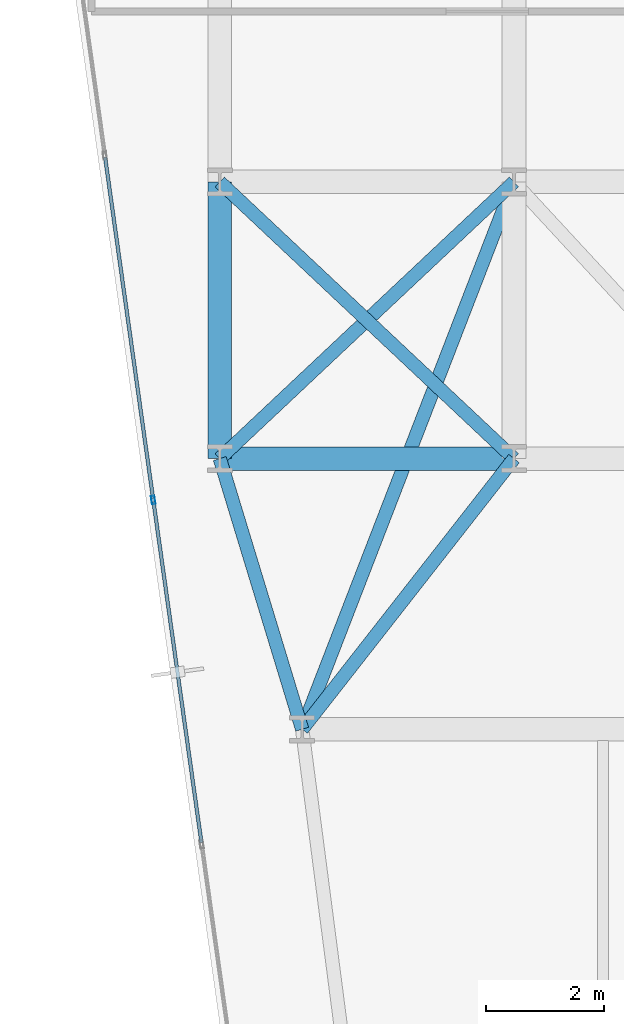
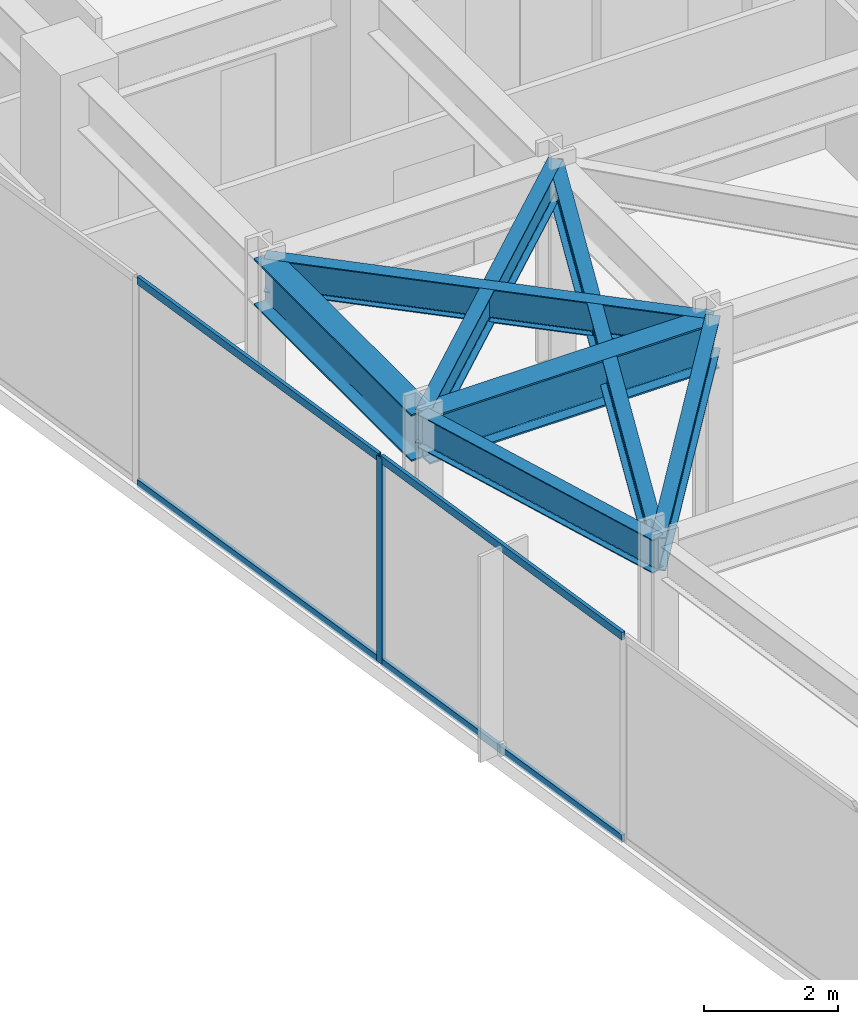
# One storey, part 9 of 26: 7 beams, 5 members, 1 element without a shape of its own.
"""IFC4 building model written with IfcOpenShell, lengths in metres."""

from ifc_helpers import new_model, si_unit, direction, frame, origin, origin_2d, place, context, subcontext, project, spatial, hollow_rectangle, i_section, extrude, material, layer, layer_set, material_profile, profile_set, type_object, element, aggregate, save


model = new_model("IFC4")

# Units and contexts
model_context = context("Model", 3, precision=1e-05, world=origin(), true_north=direction((0.0, 1.0)))
body_context = subcontext(model_context, "Body", "Model", "MODEL_VIEW")
ifc_project = project(units=[si_unit("LENGTHUNIT", "METRE"), si_unit("AREAUNIT", "SQUARE_METRE"), si_unit("VOLUMEUNIT", "CUBIC_METRE"), si_unit("PLANEANGLEUNIT", "RADIAN"), si_unit("MASSUNIT", "GRAM", prefix="KILO")], contexts=[model_context])

# Site, building, storey
site_placement = place(None, origin())
site = spatial("IfcSite", under=ifc_project, at=site_placement, CompositionType="ELEMENT")
building_placement = place(site_placement, origin())
building = spatial("IfcBuilding", under=site, at=building_placement, Name="Kravanh Interchange Tower", CompositionType="ELEMENT")
storey_placement = place(building_placement, frame((0.0, 0.0, 108.0)))
storey = spatial("IfcBuildingStorey", under=building, at=storey_placement, Name="L25", CompositionType="ELEMENT", Elevation=108.0)

# Curtain wall, members
ifc_material_1 = material(Name="Anodised Bronze Aluminium", Category="aluminium")
ifc_layer = layer(ifc_material_1, 0.179931640625)
ifc_layer_set = layer_set([ifc_layer], Name="Unitised Curtain Wall System CW-Z2 Mid Office")
curtain_wall_type = type_object("IfcCurtainWallType", Name="Unitised Curtain Wall System CW-Z2 Mid Office", PredefinedType="NOTDEFINED", material=ifc_layer_set)
curtain_wall_placement = place(storey_placement, origin())
curtain_wall = element("IfcCurtainWall", 1, at=curtain_wall_placement, inside=storey, type_object=curtain_wall_type, Name="L25 Unitised Curtain Wall CW-L25-01", PredefinedType="NOTDEFINED")
ifc_material_2 = material(Name="Anodised Bronze Aluminium", Category="aluminium")
ifc_material_profile_1 = material_profile(ifc_material_2, hollow_rectangle(XDim=0.06005859375, YDim=0.139892578125, WallThickness=0.00390625, at=origin_2d()), Name="ALU60X140X4")
ifc_profile_set_1 = profile_set([ifc_material_profile_1], Name="Anodised Bronze Aluminium")
member_type_1 = type_object("IfcMemberType", Name="Curtain Wall Mullion ALU60X140X4 Bronze", PredefinedType="MULLION", material=ifc_profile_set_1)
member_1_placement = place(storey_placement, frame((12.469970703125, 26.095458984375, 0.0), z_axis=(0.0, 0.0, 1.0), x_axis=(-0.990268103846, -0.13917285118, 0.0)))
member_1 = element("IfcMember", 2, at=member_1_placement, type_object=member_type_1, Name="CW-Z2 mullion 4", PredefinedType="MULLION", context=body_context, shape_type="SweptSolid", body=[
    extrude(hollow_rectangle(XDim=0.06005859375, YDim=0.139892578125, WallThickness=0.00390625, at=origin_2d()), origin(), (0.0, 0.0, 1.0), 3.75),
])
ifc_material_3 = material(Name="Anodised Bronze Aluminium", Category="aluminium")
ifc_material_profile_2 = material_profile(ifc_material_3, hollow_rectangle(XDim=0.06005859375, YDim=0.139892578125, WallThickness=0.00390625, at=origin_2d()), Name="ALU60X140X4")
ifc_profile_set_2 = profile_set([ifc_material_profile_2], Name="Anodised Bronze Aluminium")
member_type_2 = type_object("IfcMemberType", Name="Curtain Wall Transom ALU60X140X4 Bronze", PredefinedType="USERDEFINED", material=ifc_profile_set_2)
member_2_placement = place(storey_placement, frame((13.288330078125, 20.27294921875, 0.030029296875), z_axis=(-0.13918896503, 0.990265839062, 0.0), x_axis=(-0.990265839062, -0.13918896503, 0.0)))
member_2 = element("IfcMember", 3, at=member_2_placement, type_object=member_type_2, Name="CW-Z2 transom 3.1", ObjectType="TRANSOM", PredefinedType="USERDEFINED", context=body_context, shape_type="SweptSolid", body=[
    extrude(hollow_rectangle(XDim=0.06005859375, YDim=0.139892578125, WallThickness=0.00390625, at=origin_2d()), origin(), (0.0, 0.0, 1.0), 5.849609375),
])
member_3_placement = place(storey_placement, frame((13.288330078125, 20.27294921875, 3.719970703125), z_axis=(-0.13918896503, 0.990265839062, 0.0), x_axis=(-0.990265839062, -0.13918896503, 0.0)))
member_3 = element("IfcMember", 4, at=member_3_placement, type_object=member_type_2, Name="CW-Z2 transom 3.2", ObjectType="TRANSOM", PredefinedType="USERDEFINED", context=body_context, shape_type="SweptSolid", body=[
    extrude(hollow_rectangle(XDim=0.06005859375, YDim=0.139892578125, WallThickness=0.00390625, at=origin_2d()), origin(), (0.0, 0.0, 1.0), 5.849609375),
])
member_4_placement = place(storey_placement, frame((12.4658203125, 26.125244140625, 0.030029296875), z_axis=(-0.13918896503, 0.990265839062, 0.0), x_axis=(-0.990265839062, -0.13918896503, 0.0)))
member_4 = element("IfcMember", 5, at=member_4_placement, type_object=member_type_2, Name="CW-Z2 transom 4.1", ObjectType="TRANSOM", PredefinedType="USERDEFINED", context=body_context, shape_type="SweptSolid", body=[
    extrude(hollow_rectangle(XDim=0.06005859375, YDim=0.139892578125, WallThickness=0.00390625, at=origin_2d()), origin(), (0.0, 0.0, 1.0), 5.849609375),
])
member_5_placement = place(storey_placement, frame((12.4658203125, 26.125244140625, 3.719970703125), z_axis=(-0.13918896503, 0.990265839062, 0.0), x_axis=(-0.990265839062, -0.13918896503, 0.0)))
member_5 = element("IfcMember", 6, at=member_5_placement, type_object=member_type_2, Name="CW-Z2 transom 4.2", ObjectType="TRANSOM", PredefinedType="USERDEFINED", context=body_context, shape_type="SweptSolid", body=[
    extrude(hollow_rectangle(XDim=0.06005859375, YDim=0.139892578125, WallThickness=0.00390625, at=origin_2d()), origin(), (0.0, 0.0, 1.0), 5.849609375),
])
aggregate(curtain_wall, [member_1, member_2, member_3, member_4, member_5])

# Beams
ifc_material_4 = material(Name="Structural Steel S355", Category="steel")
ifc_material_profile_3 = material_profile(ifc_material_4, i_section(OverallWidth=0.39990234375, OverallDepth=0.85595703125, WebThickness=0.018310546875, FlangeThickness=0.029296875, FilletRadius=0.02490234375, at=origin_2d()), Name="W33X201")
ifc_profile_set_3 = profile_set([ifc_material_profile_3], Name="Structural Steel S355")
beam_type_1 = type_object("IfcBeamType", Name="Floor Beam W33X201 Structural Steel S355", PredefinedType="BEAM", material=ifc_profile_set_3)
beam_1_placement = place(storey_placement, frame((13.60009765625, 26.800048828125, 3.322021484375), z_axis=(0.0, 1.0, 0.0), x_axis=(-1.0, 0.0, 0.0)))
element("IfcBeam", 7, at=beam_1_placement, inside=storey, type_object=beam_type_1, Name="L25 Primary Floor Girder 37", PredefinedType="BEAM", context=body_context, shape_type="SweptSolid", body=[
    extrude(i_section(OverallWidth=0.39990234375, OverallDepth=0.85595703125, WebThickness=0.018310546875, FlangeThickness=0.029296875, FilletRadius=0.02490234375, at=origin_2d()), origin(), (0.0, 0.0, 1.0), 4.699951171875),
])
beam_2_placement = place(storey_placement, frame((13.60009765625, 26.800048828125, 3.322021484375), z_axis=(1.0, 0.0, 0.0), x_axis=(0.0, 1.0, 0.0)))
element("IfcBeam", 8, at=beam_2_placement, inside=storey, type_object=beam_type_1, Name="L25 Primary Floor Girder 39", PredefinedType="BEAM", context=body_context, shape_type="SweptSolid", body=[
    extrude(i_section(OverallWidth=0.39990234375, OverallDepth=0.85595703125, WebThickness=0.018310546875, FlangeThickness=0.029296875, FilletRadius=0.02490234375, at=origin_2d()), origin(), (0.0, 0.0, 1.0), 5.0),
])
ifc_material_5 = material(Name="Structural Steel S355", Category="steel")
ifc_material_profile_4 = material_profile(ifc_material_5, i_section(OverallWidth=0.22802734375, OverallDepth=0.60791015625, WebThickness=0.01123046875, FlangeThickness=0.017333984375, FilletRadius=0.02197265625, at=origin_2d()), Name="W24X76")
ifc_profile_set_4 = profile_set([ifc_material_profile_4], Name="Structural Steel S355")
beam_type_2 = type_object("IfcBeamType", Name="Floor Spandrel W24X76 Structural Steel S355", PredefinedType="SPANDREL", material=ifc_profile_set_4)
beam_3_placement = place(storey_placement, frame((13.60009765625, 26.800048828125, 3.446044921875), z_axis=(0.291137370727, -0.956681259023, 0.0), x_axis=(0.956681259023, 0.291137370727, 0.0)))
element("IfcBeam", 9, at=beam_3_placement, inside=storey, type_object=beam_type_2, Name="L25 Perimeter Spandrel 38", PredefinedType="SPANDREL", context=body_context, shape_type="SweptSolid", body=[
    extrude(i_section(OverallWidth=0.22802734375, OverallDepth=0.60791015625, WebThickness=0.01123046875, FlangeThickness=0.017333984375, FilletRadius=0.02197265625, at=origin_2d()), origin(), (0.0, 0.0, 1.0), 4.808349609375),
])
beam_4_placement = place(storey_placement, frame((13.60009765625, 26.800048828125, 3.446044921875), z_axis=(0.728631219862, 0.684906231131, 0.0), x_axis=(-0.684906231131, 0.728631219862, 0.0)))
element("IfcBeam", 10, at=beam_4_placement, inside=storey, type_object=beam_type_2, Name="L25 Perimeter Spandrel 40", PredefinedType="SPANDREL", context=body_context, shape_type="SweptSolid", body=[
    extrude(i_section(OverallWidth=0.22802734375, OverallDepth=0.60791015625, WebThickness=0.01123046875, FlangeThickness=0.017333984375, FilletRadius=0.02197265625, at=origin_2d()), origin(), (0.0, 0.0, 1.0), 6.862060546875),
])
beam_5_placement = place(storey_placement, frame((18.60009765625, 26.800048828125, 3.446044921875), z_axis=(-0.616310515553, -0.787503237085, 0.0), x_axis=(0.787503237085, -0.616310515553, 0.0)))
element("IfcBeam", 11, at=beam_5_placement, inside=storey, type_object=beam_type_2, Name="L25 Perimeter Spandrel 42", PredefinedType="SPANDREL", context=body_context, shape_type="SweptSolid", body=[
    extrude(i_section(OverallWidth=0.22802734375, OverallDepth=0.60791015625, WebThickness=0.01123046875, FlangeThickness=0.017333984375, FilletRadius=0.02197265625, at=origin_2d()), origin(), (0.0, 0.0, 1.0), 5.84130859375),
])
beam_6_placement = place(storey_placement, frame((18.60009765625, 26.800048828125, 3.446044921875), z_axis=(-0.728631219862, 0.684906231131, 0.0), x_axis=(-0.684906231131, -0.728631219862, 0.0)))
element("IfcBeam", 12, at=beam_6_placement, inside=storey, type_object=beam_type_2, Name="L25 Perimeter Spandrel 43", PredefinedType="SPANDREL", context=body_context, shape_type="SweptSolid", body=[
    extrude(i_section(OverallWidth=0.22802734375, OverallDepth=0.60791015625, WebThickness=0.01123046875, FlangeThickness=0.017333984375, FilletRadius=0.02197265625, at=origin_2d()), origin(), (0.0, 0.0, 1.0), 6.862060546875),
])
beam_7_placement = place(storey_placement, frame((18.60009765625, 31.5, 3.446044921875), z_axis=(-0.3610009706, -0.932565439648, 0.0), x_axis=(0.932565439648, -0.3610009706, 0.0)))
element("IfcBeam", 13, at=beam_7_placement, inside=storey, type_object=beam_type_2, Name="L25 Perimeter Spandrel 72", PredefinedType="SPANDREL", context=body_context, shape_type="SweptSolid", body=[
    extrude(i_section(OverallWidth=0.22802734375, OverallDepth=0.60791015625, WebThickness=0.01123046875, FlangeThickness=0.017333984375, FilletRadius=0.02197265625, at=origin_2d()), origin(), (0.0, 0.0, 1.0), 9.97265625),
])

save(model, "model.ifc")
